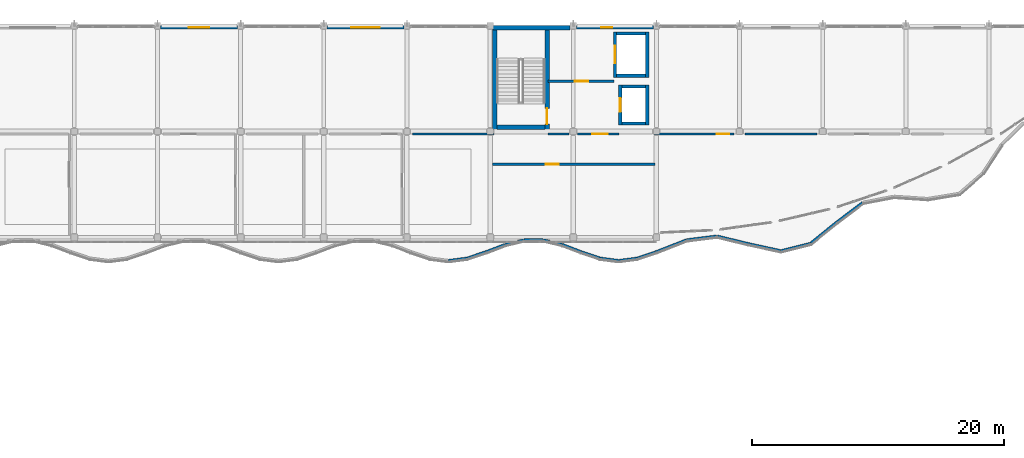
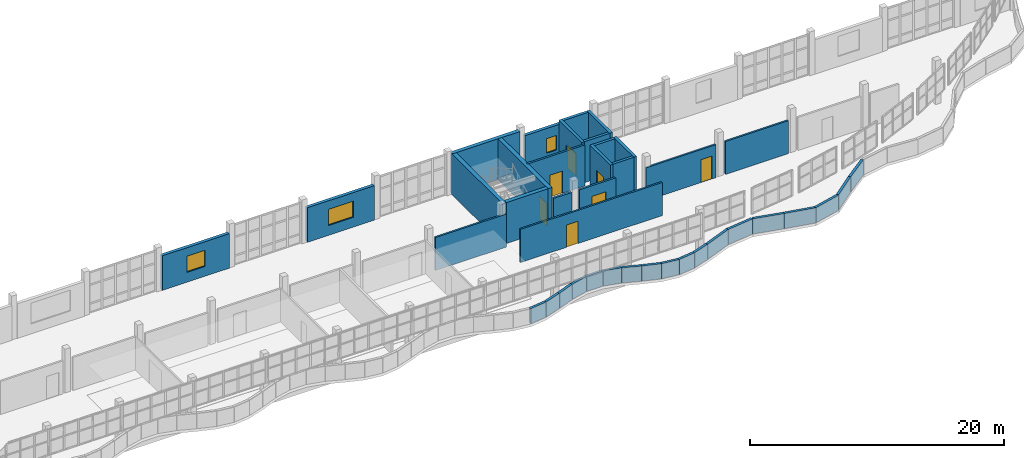
# One storey, part 59 of 78: 40 walls, 7 doors, 3 windows, 10 openings.
"""IFC4 building model written with IfcOpenShell, lengths in metres."""

from ifc_helpers import new_model, si_unit, direction, frame, frame_2d, origin, place, context, subcontext, project, spatial, rectangle, extrude, material, layer, layer_set, type_object, element, fill, save


model = new_model("IFC4")

# Units and contexts
model_context = context("Model", 3, precision=1e-05, world=origin(), true_north=direction((0.0, 1.0)))
body_context = subcontext(model_context, "Body", "Model", "MODEL_VIEW")
ifc_project = project(units=[si_unit("LENGTHUNIT", "METRE"), si_unit("AREAUNIT", "SQUARE_METRE"), si_unit("VOLUMEUNIT", "CUBIC_METRE"), si_unit("PLANEANGLEUNIT", "RADIAN"), si_unit("MASSUNIT", "GRAM", prefix="KILO")], contexts=[model_context])

# Site, building, storey
site_placement = place(None, origin())
site = spatial("IfcSite", under=ifc_project, at=site_placement, CompositionType="ELEMENT")
building_placement = place(site_placement, origin())
building = spatial("IfcBuilding", under=site, at=building_placement, Name="Qaldarim Faculty of Natural and Applied Sciences", CompositionType="ELEMENT")
storey_placement = place(building_placement, frame((0.0, 0.0, 18.60009765625)))
storey = spatial("IfcBuildingStorey", under=building, at=storey_placement, Name="L04", CompositionType="ELEMENT", Elevation=18.60009765625)

# Wall
ifc_material_1 = material(Name="Concrete C50/60", Category="concrete")
ifc_layer_1 = layer(ifc_material_1, 0.360107421875)
ifc_layer_set_1 = layer_set([ifc_layer_1], Name="Concrete C50/60")
wall_type_1 = type_object("IfcWallType", Name="CoreShearWall-360", PredefinedType="SHEAR", material=ifc_layer_set_1)
wall_1_placement = place(storey_placement, frame((99.3701171875, 109.340087890625, 0.0), z_axis=(0.0, 0.0, 1.0), x_axis=(0.0, 1.0, 0.0)))
element("IfcWall", 1, at=wall_1_placement, inside=storey, type_object=wall_type_1, Name="Core stair ST-B1 west shear wall L04", PredefinedType="SHEAR", context=body_context, shape_type="SweptSolid", body=[
    extrude(rectangle(XDim=8.08984375, YDim=0.360107421875, at=frame_2d((4.044921875, 0.0))), origin(), (0.0, 0.0, 1.0), 3.93994140625),
])

# Wall, opening, door
wall_2_placement = place(storey_placement, frame((103.530029296875, 109.340087890625, 0.0), z_axis=(0.0, 0.0, 1.0), x_axis=(0.0, 1.0, 0.0)))
wall_2 = element("IfcWall", 2, at=wall_2_placement, inside=storey, type_object=wall_type_1, Name="Core stair ST-B1 east shear wall L04", PredefinedType="SHEAR", context=body_context, shape_type="SweptSolid", body=[
    extrude(rectangle(XDim=8.08984375, YDim=0.360107421875, at=frame_2d((4.044921875, 0.0))), origin(), (0.0, 0.0, 1.0), 3.93994140625),
])
opening_1_placement = place(wall_2_placement, frame((0.449951171875, 0.0, 0.0)))
opening_1 = element("IfcOpeningElement", 3, at=opening_1_placement, cuts=wall_2, Name="Opening ID04", PredefinedType="OPENING", context=body_context, shape_type="SweptSolid", body=[
    extrude(rectangle(XDim=1.25, YDim=2.14990234375, at=frame_2d((0.625, 1.074951171875))), frame((0.0, 0.18994140625, 0.0), z_axis=(0.0, -1.0, 0.0), x_axis=(1.0, 0.0, 0.0)), (0.0, 0.0, 1.0), 0.380126953125),
])
ifc_material_2 = material(Name="Architectural stainless steel 316", Category="steel")
door_type_1 = type_object("IfcDoorType", Name="StairEnclosureFireDoor-1250x2150", OperationType="NOTDEFINED", PredefinedType="DOOR", material=ifc_material_2)
door_1_placement = place(opening_1_placement, origin())
door_1 = element("IfcDoor", 4, at=door_1_placement, inside=storey, type_object=door_type_1, Name="Protected stair ST-B1 fire door D-L04-531", OperationType="SINGLE_SWING_RIGHT", OverallHeight=2.14990234375, OverallWidth=1.25, PredefinedType="DOOR", context=body_context, shape_type="SweptSolid", body=[
    extrude(rectangle(XDim=1.25, YDim=2.14990234375, at=frame_2d((0.625, 1.074951171875))), frame((0.0, 0.02490234375, 0.0), z_axis=(0.0, -1.0, 0.0), x_axis=(1.0, 0.0, 0.0)), (0.0, 0.0, 1.0), 0.050048828125),
])
fill(opening_1, door_1)

# Wall
wall_3_placement = place(storey_placement, frame((99.550048828125, 109.52001953125, 0.0), z_axis=(0.0, 0.0, 1.0), x_axis=(1.0, 0.0, 0.0)))
element("IfcWall", 5, at=wall_3_placement, inside=storey, type_object=wall_type_1, Name="Core stair ST-B1 south shear wall L04", PredefinedType="SHEAR", context=body_context, shape_type="SweptSolid", body=[
    extrude(rectangle(XDim=3.800048828125, YDim=0.360107421875, at=frame_2d((1.89990234375, 0.0))), origin(), (0.0, 0.0, 1.0), 3.93994140625),
])

# Wall, opening, window
ifc_material_3 = material(Name="Precast concrete C40/50", Category="concrete")
ifc_layer_2 = layer(ifc_material_3, 0.280029296875)
ifc_layer_set_2 = layer_set([ifc_layer_2], Name="Precast concrete C40/50")
wall_type_2 = type_object("IfcWallType", Name="ExteriorSpandrelWall-280", PredefinedType="SOLIDWALL", material=ifc_layer_set_2)
wall_4_placement = place(storey_placement, frame((78.955078125, 117.4599609375, 0.0), z_axis=(0.0, 0.0, 1.0), x_axis=(-1.0, 0.0, 0.0)))
wall_4 = element("IfcWall", 6, at=wall_4_placement, inside=storey, type_object=wall_type_2, Name="Exterior wall EW02 L04 N X12Y14", PredefinedType="SOLIDWALL", context=body_context, shape_type="SweptSolid", body=[
    extrude(rectangle(XDim=6.110107421875, YDim=0.280029296875, at=frame_2d((3.05517578125, 0.0))), origin(), (0.0, 0.0, 1.0), 3.324951171875),
])
opening_2_placement = place(wall_4_placement, frame((2.22998046875, 0.0, 0.949951171875)))
opening_2 = element("IfcOpeningElement", 7, at=opening_2_placement, cuts=wall_4, Name="Opening WN10", PredefinedType="OPENING", context=body_context, shape_type="SweptSolid", body=[
    extrude(rectangle(XDim=1.64990234375, YDim=1.550048828125, at=frame_2d((0.824951171875, 0.77490234375))), frame((0.0, 0.14990234375, 0.0), z_axis=(0.0, -1.0, 0.0), x_axis=(1.0, 0.0, 0.0)), (0.0, 0.0, 1.0), 0.300048828125),
])
ifc_material_4 = material(Name="Insulated low-e double glazing", Category="glass")
window_type_1 = type_object("IfcWindowType", Name="LabWindow-1650x1550", PartitioningType="DOUBLE_PANEL_VERTICAL", PredefinedType="WINDOW", material=ifc_material_4)
window_1_placement = place(opening_2_placement, origin())
window_1 = element("IfcWindow", 8, at=window_1_placement, inside=storey, type_object=window_type_1, Name="Facade window WN10 L04 N X12Y14", OverallHeight=1.550048828125, OverallWidth=1.64990234375, PartitioningType="SINGLE_PANEL", PredefinedType="WINDOW", context=body_context, shape_type="SweptSolid", body=[
    extrude(rectangle(XDim=1.64990234375, YDim=1.550048828125, at=frame_2d((0.824951171875, 0.77490234375))), frame((0.0, 0.030029296875, 0.0), z_axis=(0.0, -1.0, 0.0), x_axis=(1.0, 0.0, 0.0)), (0.0, 0.0, 1.0), 0.06005859375),
])
fill(opening_2, window_1)

wall_5_placement = place(storey_placement, frame((92.155029296875, 117.4599609375, 0.0), z_axis=(0.0, 0.0, 1.0), x_axis=(-1.0, 0.0, 0.0)))
wall_5 = element("IfcWall", 9, at=wall_5_placement, inside=storey, type_object=wall_type_2, Name="Exterior wall EW02 L04 N X14Y14", PredefinedType="SOLIDWALL", context=body_context, shape_type="SweptSolid", body=[
    extrude(rectangle(XDim=6.110107421875, YDim=0.280029296875, at=frame_2d((3.05517578125, 0.0))), origin(), (0.0, 0.0, 1.0), 3.324951171875),
])
opening_3_placement = place(wall_5_placement, frame((1.929931640625, 0.0, 0.949951171875)))
opening_3 = element("IfcOpeningElement", 10, at=opening_3_placement, cuts=wall_5, Name="Opening WN12", PredefinedType="OPENING", context=body_context, shape_type="SweptSolid", body=[
    extrude(rectangle(XDim=2.25, YDim=1.550048828125, at=frame_2d((1.125, 0.77490234375))), frame((0.0, 0.14990234375, 0.0), z_axis=(0.0, -1.0, 0.0), x_axis=(1.0, 0.0, 0.0)), (0.0, 0.0, 1.0), 0.300048828125),
])
window_type_2 = type_object("IfcWindowType", Name="LabWindow-2250x1550", PartitioningType="TRIPLE_PANEL_VERTICAL", PredefinedType="WINDOW", material=ifc_material_4)
window_2_placement = place(opening_3_placement, origin())
window_2 = element("IfcWindow", 11, at=window_2_placement, inside=storey, type_object=window_type_2, Name="Facade window WN12 L04 N X14Y14", OverallHeight=1.550048828125, OverallWidth=2.25, PartitioningType="SINGLE_PANEL", PredefinedType="WINDOW", context=body_context, shape_type="SweptSolid", body=[
    extrude(rectangle(XDim=2.25, YDim=1.550048828125, at=frame_2d((1.125, 0.77490234375))), frame((0.0, 0.030029296875, 0.0), z_axis=(0.0, -1.0, 0.0), x_axis=(1.0, 0.0, 0.0)), (0.0, 0.0, 1.0), 0.06005859375),
])
fill(opening_3, window_2)

wall_6_placement = place(storey_placement, frame((111.955078125, 117.4599609375, 0.0), z_axis=(0.0, 0.0, 1.0), x_axis=(-1.0, 0.0, 0.0)))
wall_6 = element("IfcWall", 12, at=wall_6_placement, inside=storey, type_object=wall_type_2, Name="Exterior wall EW02 L04 N X17Y14", PredefinedType="SOLIDWALL", context=body_context, shape_type="SweptSolid", body=[
    extrude(rectangle(XDim=6.110107421875, YDim=0.280029296875, at=frame_2d((3.05517578125, 0.0))), origin(), (0.0, 0.0, 1.0), 3.324951171875),
])
opening_4_placement = place(wall_6_placement, frame((3.25, 0.0, 0.949951171875)))
opening_4 = element("IfcOpeningElement", 13, at=opening_4_placement, cuts=wall_6, Name="Opening WN05", PredefinedType="OPENING", context=body_context, shape_type="SweptSolid", body=[
    extrude(rectangle(XDim=0.89990234375, YDim=1.39990234375, at=frame_2d((0.449951171875, 0.699951171875))), frame((0.0, 0.14990234375, 0.0), z_axis=(0.0, -1.0, 0.0), x_axis=(1.0, 0.0, 0.0)), (0.0, 0.0, 1.0), 0.300048828125),
])
window_type_3 = type_object("IfcWindowType", Name="Window-900x1400", PartitioningType="SINGLE_PANEL", PredefinedType="WINDOW", material=ifc_material_4)
window_3_placement = place(opening_4_placement, origin())
window_3 = element("IfcWindow", 14, at=window_3_placement, inside=storey, type_object=window_type_3, Name="Facade window WN15 L04 N X17Y14", OverallHeight=1.39990234375, OverallWidth=0.89990234375, PartitioningType="SINGLE_PANEL", PredefinedType="WINDOW", context=body_context, shape_type="SweptSolid", body=[
    extrude(rectangle(XDim=0.89990234375, YDim=1.39990234375, at=frame_2d((0.449951171875, 0.699951171875))), frame((0.0, 0.030029296875, 0.0), z_axis=(0.0, -1.0, 0.0), x_axis=(1.0, 0.0, 0.0)), (0.0, 0.0, 1.0), 0.06005859375),
])
fill(opening_4, window_3)

# Walls
ifc_layer_3 = layer(ifc_material_1, 0.340087890625)
ifc_layer_set_3 = layer_set([ifc_layer_3], Name="Concrete C50/60")
wall_type_3 = type_object("IfcWallType", Name="ExteriorStairShearWall-340", PredefinedType="SHEAR", material=ifc_layer_set_3)
wall_7_placement = place(storey_placement, frame((105.35498046875, 117.429931640625, 0.0), z_axis=(0.0, 0.0, 1.0), x_axis=(-1.0, 0.0, 0.0)))
element("IfcWall", 15, at=wall_7_placement, inside=storey, type_object=wall_type_3, Name="Exterior wall EW05 L04 N X16Y14", PredefinedType="SHEAR", context=body_context, shape_type="SweptSolid", body=[
    extrude(rectangle(XDim=6.10986328125, YDim=0.340087890625, at=frame_2d((3.054931640625, 0.0))), origin(), (0.0, 0.0, 1.0), 3.93994140625),
])
ifc_material_5 = material(Name="Concrete C40/50", Category="concrete")
ifc_layer_4 = layer(ifc_material_5, 0.159912109375)
ifc_layer_set_4 = layer_set([ifc_layer_4], Name="Concrete C40/50")
wall_type_4 = type_object("IfcWallType", Name="FireCorridorWall-160", PredefinedType="PARTITIONING", material=ifc_layer_set_4)
wall_8_placement = place(storey_placement, frame((92.85009765625, 109.0, 0.0), z_axis=(0.0, 0.0, 1.0), x_axis=(1.0, 0.0, 0.0)))
element("IfcWall", 16, at=wall_8_placement, inside=storey, type_object=wall_type_4, Name="Interior partition PRT-L04-V4-CORSW-S8", PredefinedType="PARTITIONING", context=body_context, shape_type="SweptSolid", body=[
    extrude(rectangle(XDim=6.449951171875, YDim=0.159912109375, at=frame_2d((3.22509765625, 0.0))), origin(), (0.0, 0.0, 1.0), 3.1748046875),
])

# Wall, opening, door
wall_9_placement = place(storey_placement, frame((112.0, 109.0, 0.0), z_axis=(0.0, 0.0, 1.0), x_axis=(1.0, 0.0, 0.0)))
wall_9 = element("IfcWall", 17, at=wall_9_placement, inside=storey, type_object=wall_type_4, Name="Interior partition PRT-L04-V4-CORSE-S1", PredefinedType="PARTITIONING", context=body_context, shape_type="SweptSolid", body=[
    extrude(rectangle(XDim=6.35009765625, YDim=0.159912109375, at=frame_2d((3.175048828125, 0.0))), origin(), (0.0, 0.0, 1.0), 3.1748046875),
])
opening_5_placement = place(wall_9_placement, frame((5.0, 0.0, 0.0)))
opening_5 = element("IfcOpeningElement", 18, at=opening_5_placement, cuts=wall_9, Name="Opening ID08", PredefinedType="OPENING", context=body_context, shape_type="SweptSolid", body=[
    extrude(rectangle(XDim=1.0, YDim=2.199951171875, at=frame_2d((0.5, 1.10009765625))), frame((0.0, 0.08984375, 0.0), z_axis=(0.0, -1.0, 0.0), x_axis=(1.0, 0.0, 0.0)), (0.0, 0.0, 1.0), 0.179931640625),
])
ifc_material_6 = material(Name="Oak hardwood", Category="wood")
door_type_2 = type_object("IfcDoorType", Name="SeminarRoomDoor-1000x2200", OperationType="NOTDEFINED", PredefinedType="DOOR", material=ifc_material_6)
door_2_placement = place(opening_5_placement, origin())
door_2 = element("IfcDoor", 19, at=door_2_placement, inside=storey, type_object=door_type_2, Name="Interior door D-L04-246", OperationType="SINGLE_SWING_LEFT", OverallHeight=2.199951171875, OverallWidth=1.0, PredefinedType="DOOR", context=body_context, shape_type="SweptSolid", body=[
    extrude(rectangle(XDim=1.0, YDim=2.199951171875, at=frame_2d((0.5, 1.10009765625))), frame((0.0, 0.02490234375, 0.0), z_axis=(0.0, -1.0, 0.0), x_axis=(1.0, 0.0, 0.0)), (0.0, 0.0, 1.0), 0.050048828125),
])
fill(opening_5, door_2)

# Wall
wall_10_placement = place(storey_placement, frame((119.25, 109.0, 0.0), z_axis=(0.0, 0.0, 1.0), x_axis=(1.0, 0.0, 0.0)))
element("IfcWall", 20, at=wall_10_placement, inside=storey, type_object=wall_type_4, Name="Interior partition PRT-L04-V4-CORSE-S2", PredefinedType="PARTITIONING", context=body_context, shape_type="SweptSolid", body=[
    extrude(rectangle(XDim=5.699951171875, YDim=0.159912109375, at=frame_2d((2.85009765625, 0.0))), origin(), (0.0, 0.0, 1.0), 3.1748046875),
])

# Wall, opening, door
wall_11_placement = place(storey_placement, frame((99.199951171875, 106.60009765625, 0.0), z_axis=(0.0, 0.0, 1.0), x_axis=(1.0, 0.0, 0.0)))
wall_11 = element("IfcWall", 21, at=wall_11_placement, inside=storey, type_object=wall_type_4, Name="Interior partition PRT-L04-V4-PRPN", PredefinedType="PARTITIONING", context=body_context, shape_type="SweptSolid", body=[
    extrude(rectangle(XDim=12.900146484375, YDim=0.159912109375, at=frame_2d((6.4501953125, 0.0))), origin(), (0.0, 0.0, 1.0), 3.18994140625),
])
opening_6_placement = place(wall_11_placement, frame((4.199951171875, 0.0, 0.0)))
opening_6 = element("IfcOpeningElement", 22, at=opening_6_placement, cuts=wall_11, Name="Opening ID02", PredefinedType="OPENING", context=body_context, shape_type="SweptSolid", body=[
    extrude(rectangle(XDim=1.050048828125, YDim=2.14990234375, at=frame_2d((0.52490234375, 1.074951171875))), frame((0.0, 0.08984375, 0.0), z_axis=(0.0, -1.0, 0.0), x_axis=(1.0, 0.0, 0.0)), (0.0, 0.0, 1.0), 0.179931640625),
])
door_type_3 = type_object("IfcDoorType", Name="AccessibleRoomDoor-1050x2150", OperationType="NOTDEFINED", PredefinedType="DOOR", material=ifc_material_6)
door_3_placement = place(opening_6_placement, origin())
door_3 = element("IfcDoor", 23, at=door_3_placement, inside=storey, type_object=door_type_3, Name="Interior door D-L04-398", OperationType="SINGLE_SWING_LEFT", OverallHeight=2.14990234375, OverallWidth=1.050048828125, PredefinedType="DOOR", context=body_context, shape_type="SweptSolid", body=[
    extrude(rectangle(XDim=1.050048828125, YDim=2.14990234375, at=frame_2d((0.52490234375, 1.074951171875))), frame((0.0, 0.02490234375, 0.0), z_axis=(0.0, -1.0, 0.0), x_axis=(1.0, 0.0, 0.0)), (0.0, 0.0, 1.0), 0.050048828125),
])
fill(opening_6, door_3)

# Wall
ifc_layer_5 = layer(ifc_material_5, 0.179931640625)
ifc_layer_set_5 = layer_set([ifc_layer_5], Name="Concrete C40/50")
wall_type_5 = type_object("IfcWallType", Name="LabFireCompartmentWall-180", PredefinedType="SOLIDWALL", material=ifc_layer_set_5)
wall_12_placement = place(storey_placement, frame((103.60009765625, 109.010009765625, 0.0), z_axis=(0.0, 0.0, 1.0), x_axis=(1.0, 0.0, 0.0)))
element("IfcWall", 24, at=wall_12_placement, inside=storey, type_object=wall_type_5, Name="Fire-fighting lobby south-west compartment wall Core B L04", PredefinedType="SOLIDWALL", context=body_context, shape_type="SweptSolid", body=[
    extrude(rectangle(XDim=1.64990234375, YDim=0.179931640625, at=frame_2d((0.824951171875, 0.0))), origin(), (0.0, 0.0, 1.0), 3.1748046875),
])

# Wall, opening, door
wall_13_placement = place(storey_placement, frame((105.949951171875, 109.010009765625, 0.0), z_axis=(0.0, 0.0, 1.0), x_axis=(1.0, 0.0, 0.0)))
wall_13 = element("IfcWall", 25, at=wall_13_placement, inside=storey, type_object=wall_type_5, Name="Fire-fighting lobby south compartment wall Core B L04", PredefinedType="SOLIDWALL", context=body_context, shape_type="SweptSolid", body=[
    extrude(rectangle(XDim=3.300048828125, YDim=0.179931640625, at=frame_2d((1.64990234375, 0.0))), origin(), (0.0, 0.0, 1.0), 3.1748046875),
])
opening_7_placement = place(wall_13_placement, frame((1.14990234375, 0.0, 0.0)))
opening_7 = element("IfcOpeningElement", 26, at=opening_7_placement, cuts=wall_13, Name="Opening ID04", PredefinedType="OPENING", context=body_context, shape_type="SweptSolid", body=[
    extrude(rectangle(XDim=1.25, YDim=2.14990234375, at=frame_2d((0.625, 1.074951171875))), frame((0.0, 0.099853515625, 0.0), z_axis=(0.0, -1.0, 0.0), x_axis=(1.0, 0.0, 0.0)), (0.0, 0.0, 1.0), 0.199951171875),
])
door_4_placement = place(opening_7_placement, origin())
door_4 = element("IfcDoor", 27, at=door_4_placement, inside=storey, type_object=door_type_1, Name="Fire-fighting lobby door Core B D-L04-646", OperationType="SINGLE_SWING_LEFT", OverallHeight=2.14990234375, OverallWidth=1.25, PredefinedType="DOOR", context=body_context, shape_type="SweptSolid", body=[
    extrude(rectangle(XDim=1.25, YDim=2.14990234375, at=frame_2d((0.625, 1.074951171875))), frame((0.0, 0.02490234375, 0.0), z_axis=(0.0, -1.0, 0.0), x_axis=(1.0, 0.0, 0.0)), (0.0, 0.0, 1.0), 0.050048828125),
])
fill(opening_7, door_4)

wall_14_placement = place(storey_placement, frame((103.60009765625, 113.18994140625, 0.0), z_axis=(0.0, 0.0, 1.0), x_axis=(1.0, 0.0, 0.0)))
wall_14 = element("IfcWall", 28, at=wall_14_placement, inside=storey, type_object=wall_type_5, Name="Fire-fighting lobby north wall Core B L04", PredefinedType="SOLIDWALL", context=body_context, shape_type="SweptSolid", body=[
    extrude(rectangle(XDim=5.25, YDim=0.179931640625, at=frame_2d((2.625, 0.0))), origin(), (0.0, 0.0, 1.0), 3.93994140625),
])
opening_8_placement = place(wall_14_placement, frame((2.10009765625, 0.0, 0.0)))
opening_8 = element("IfcOpeningElement", 29, at=opening_8_placement, cuts=wall_14, Name="Opening ID03", PredefinedType="OPENING", context=body_context, shape_type="SweptSolid", body=[
    extrude(rectangle(XDim=1.10009765625, YDim=2.14990234375, at=frame_2d((0.550048828125, 1.074951171875))), frame((0.0, 0.099853515625, 0.0), z_axis=(0.0, -1.0, 0.0), x_axis=(1.0, 0.0, 0.0)), (0.0, 0.0, 1.0), 0.199951171875),
])
door_type_4 = type_object("IfcDoorType", Name="FireLobbyDoor-1100x2150", OperationType="NOTDEFINED", PredefinedType="DOOR", material=ifc_material_6)
door_5_placement = place(opening_8_placement, frame((1.10009765625, 0.0, 0.0), z_axis=(0.0, 0.0, 1.0), x_axis=(-1.0, 0.0, 0.0)))
door_5 = element("IfcDoor", 30, at=door_5_placement, inside=storey, type_object=door_type_4, Name="Passenger lift lobby door Core B D-L04-647", OperationType="SINGLE_SWING_RIGHT", OverallHeight=2.14990234375, OverallWidth=1.10009765625, PredefinedType="DOOR", context=body_context, shape_type="SweptSolid", body=[
    extrude(rectangle(XDim=1.10009765625, YDim=2.14990234375, at=frame_2d((0.550048828125, 1.074951171875))), frame((0.0, 0.02490234375, 0.0), z_axis=(0.0, -1.0, 0.0), x_axis=(1.0, 0.0, 0.0)), (0.0, 0.0, 1.0), 0.050048828125),
])
fill(opening_8, door_5)

ifc_layer_6 = layer(ifc_material_5, 0.25)
ifc_layer_set_6 = layer_set([ifc_layer_6], Name="Concrete C40/50")
wall_type_6 = type_object("IfcWallType", Name="LiftShaftWall-250", PredefinedType="SHEAR", material=ifc_layer_set_6)
wall_15_placement = place(storey_placement, frame((109.324951171875, 109.699951171875, 0.0), z_axis=(0.0, 0.0, 1.0), x_axis=(0.0, 1.0, 0.0)))
wall_15 = element("IfcWall", 31, at=wall_15_placement, inside=storey, type_object=wall_type_6, Name="Lift LF-B1 front shaft wall L04", PredefinedType="SHEAR", context=body_context, shape_type="SweptSolid", body=[
    extrude(rectangle(XDim=3.199951171875, YDim=0.25, at=frame_2d((1.60009765625, 0.0))), origin(), (0.0, 0.0, 1.0), 3.93994140625),
])
opening_9_placement = place(wall_15_placement, frame((1.050048828125, 0.0, 0.0)))
opening_9 = element("IfcOpeningElement", 32, at=opening_9_placement, cuts=wall_15, Name="Opening LD01", PredefinedType="OPENING", context=body_context, shape_type="SweptSolid", body=[
    extrude(rectangle(XDim=1.10009765625, YDim=2.14990234375, at=frame_2d((0.550048828125, 1.074951171875))), frame((0.0, 0.135009765625, 0.0), z_axis=(0.0, -1.0, 0.0), x_axis=(1.0, 0.0, 0.0)), (0.0, 0.0, 1.0), 0.27001953125),
])
door_type_5 = type_object("IfcDoorType", Name="LiftLandingSlidingDoor-1100x2150", OperationType="NOTDEFINED", PredefinedType="DOOR", material=ifc_material_2)
door_6_placement = place(opening_9_placement, origin())
door_6 = element("IfcDoor", 33, at=door_6_placement, inside=storey, type_object=door_type_5, Name="Lift landing sliding door LF-B1 D-L04-627", OperationType="SLIDING_TO_LEFT", OverallHeight=2.14990234375, OverallWidth=1.10009765625, PredefinedType="DOOR", context=body_context, shape_type="SweptSolid", body=[
    extrude(rectangle(XDim=1.10009765625, YDim=2.14990234375, at=frame_2d((0.550048828125, 1.074951171875))), frame((0.0, 0.02490234375, 0.0), z_axis=(0.0, -1.0, 0.0), x_axis=(1.0, 0.0, 0.0)), (0.0, 0.0, 1.0), 0.050048828125),
])
fill(opening_9, door_6)

# Walls
wall_16_placement = place(storey_placement, frame((111.47509765625, 109.699951171875, 0.0), z_axis=(0.0, 0.0, 1.0), x_axis=(0.0, 1.0, 0.0)))
element("IfcWall", 34, at=wall_16_placement, inside=storey, type_object=wall_type_6, Name="Lift LF-B1 rear shaft wall L04", PredefinedType="SHEAR", context=body_context, shape_type="SweptSolid", body=[
    extrude(rectangle(XDim=3.199951171875, YDim=0.25, at=frame_2d((1.60009765625, 0.0))), origin(), (0.0, 0.0, 1.0), 3.93994140625),
])
for number, where, z_axis, x_axis, name in (
    (35, (109.449951171875, 109.824951171875, 0.0), (0.0, 0.0, 1.0), (1.0, 0.0, 0.0), "Lift LF-B1 south shaft wall L04"),
    (36, (109.449951171875, 112.77490234375, 0.0), (0.0, 0.0, 1.0), (1.0, 0.0, 0.0), "Lift LF-B1 north shaft wall L04"),
):
    element("IfcWall", number, at=place(storey_placement, frame(where, z_axis=z_axis, x_axis=x_axis)), inside=storey, type_object=wall_type_6, Name=name, PredefinedType="SHEAR", context=body_context, shape_type="SweptSolid", body=[
        extrude(rectangle(XDim=1.900146484375, YDim=0.25, at=frame_2d((0.9501953125, 0.0))), origin(), (0.0, 0.0, 1.0), 3.93994140625),
    ])

# Wall, opening, door
wall_17_placement = place(storey_placement, frame((108.925048828125, 113.5, 0.0), z_axis=(0.0, 0.0, 1.0), x_axis=(0.0, 1.0, 0.0)))
wall_17 = element("IfcWall", 37, at=wall_17_placement, inside=storey, type_object=wall_type_6, Name="Lift LF-B2 front shaft wall L04", PredefinedType="SHEAR", context=body_context, shape_type="SweptSolid", body=[
    extrude(rectangle(XDim=3.60009765625, YDim=0.25, at=frame_2d((1.800048828125, 0.0))), origin(), (0.0, 0.0, 1.0), 3.93994140625),
])
opening_10_placement = place(wall_17_placement, frame((1.10009765625, 0.0, 0.0)))
opening_10 = element("IfcOpeningElement", 38, at=opening_10_placement, cuts=wall_17, Name="Opening LD02", PredefinedType="OPENING", context=body_context, shape_type="SweptSolid", body=[
    extrude(rectangle(XDim=1.39990234375, YDim=2.199951171875, at=frame_2d((0.699951171875, 1.10009765625))), frame((0.0, 0.135009765625, 0.0), z_axis=(0.0, -1.0, 0.0), x_axis=(1.0, 0.0, 0.0)), (0.0, 0.0, 1.0), 0.27001953125),
])
door_type_6 = type_object("IfcDoorType", Name="GoodsLiftSlidingDoor-1400x2200", OperationType="NOTDEFINED", PredefinedType="DOOR", material=ifc_material_2)
door_7_placement = place(opening_10_placement, origin())
door_7 = element("IfcDoor", 39, at=door_7_placement, inside=storey, type_object=door_type_6, Name="Lift landing sliding door LF-B2 D-L04-634", OperationType="SLIDING_TO_LEFT", OverallHeight=2.199951171875, OverallWidth=1.39990234375, PredefinedType="DOOR", context=body_context, shape_type="SweptSolid", body=[
    extrude(rectangle(XDim=1.39990234375, YDim=2.199951171875, at=frame_2d((0.699951171875, 1.10009765625))), frame((0.0, 0.02490234375, 0.0), z_axis=(0.0, -1.0, 0.0), x_axis=(1.0, 0.0, 0.0)), (0.0, 0.0, 1.0), 0.050048828125),
])
fill(opening_10, door_7)

# Walls
wall_18_placement = place(storey_placement, frame((111.47509765625, 113.5, 0.0), z_axis=(0.0, 0.0, 1.0), x_axis=(0.0, 1.0, 0.0)))
element("IfcWall", 40, at=wall_18_placement, inside=storey, type_object=wall_type_6, Name="Lift LF-B2 rear shaft wall L04", PredefinedType="SHEAR", context=body_context, shape_type="SweptSolid", body=[
    extrude(rectangle(XDim=3.60009765625, YDim=0.25, at=frame_2d((1.800048828125, 0.0))), origin(), (0.0, 0.0, 1.0), 3.93994140625),
])
for number, where, z_axis, x_axis, name in (
    (41, (109.050048828125, 113.625, 0.0), (0.0, 0.0, 1.0), (1.0, 0.0, 0.0), "Lift LF-B2 south shaft wall L04"),
    (42, (109.050048828125, 116.97509765625, 0.0), (0.0, 0.0, 1.0), (1.0, 0.0, 0.0), "Lift LF-B2 north shaft wall L04"),
):
    element("IfcWall", number, at=place(storey_placement, frame(where, z_axis=z_axis, x_axis=x_axis)), inside=storey, type_object=wall_type_6, Name=name, PredefinedType="SHEAR", context=body_context, shape_type="SweptSolid", body=[
        extrude(rectangle(XDim=2.300048828125, YDim=0.25, at=frame_2d((1.14990234375, 0.0))), origin(), (0.0, 0.0, 1.0), 3.93994140625),
    ])
ifc_material_7 = material(Name="White architectural precast concrete C40/50", Category="concrete")
ifc_layer_7 = layer(ifc_material_7, 0.219970703125)
ifc_layer_set_7 = layer_set([ifc_layer_7], Name="White architectural precast concrete C40/50")
wall_type_7 = type_object("IfcWallType", Name="WhitePrecastWaveBand-220", PredefinedType="SOLIDWALL", material=ifc_layer_set_7)
wall_19_placement = place(storey_placement, frame((95.679931640625, 98.93994140625, 0.0), z_axis=(0.0, 0.0, 1.0), x_axis=(0.991649838976, 0.128959671442, 0.0)))
element("IfcWall", 43, at=wall_19_placement, inside=storey, type_object=wall_type_7, Name="White precast wave spandrel band L04 chord 34", PredefinedType="SOLIDWALL", context=body_context, shape_type="SweptSolid", body=[
    extrude(rectangle(XDim=1.5126953125, YDim=0.219970703125, at=frame_2d((0.75634765625, 0.0))), origin(), (0.0, 0.0, 1.0), 1.449951171875),
])
wall_20_placement = place(storey_placement, frame((97.155029296875, 99.1298828125, 0.0), z_axis=(0.0, 0.0, 1.0), x_axis=(0.947707048734, 0.319141582655, 0.0)))
element("IfcWall", 44, at=wall_20_placement, inside=storey, type_object=wall_type_7, Name="White precast wave spandrel band L04 chord 35", PredefinedType="SOLIDWALL", context=body_context, shape_type="SweptSolid", body=[
    extrude(rectangle(XDim=1.582763671875, YDim=0.219970703125, at=frame_2d((0.79150390625, 0.0))), origin(), (0.0, 0.0, 1.0), 1.449951171875),
])
wall_21_placement = place(storey_placement, frame((98.64990234375, 99.6298828125, 0.0), z_axis=(0.0, 0.0, 1.0), x_axis=(0.934769434387, 0.355254985237, 0.0)))
element("IfcWall", 45, at=wall_21_placement, inside=storey, type_object=wall_type_7, Name="White precast wave spandrel band L04 chord 36", PredefinedType="SOLIDWALL", context=body_context, shape_type="SweptSolid", body=[
    extrude(rectangle(XDim=1.604736328125, YDim=0.219970703125, at=frame_2d((0.80224609375, 0.0))), origin(), (0.0, 0.0, 1.0), 1.449951171875),
])
wall_22_placement = place(storey_placement, frame((100.1650390625, 100.205078125, 0.0), z_axis=(0.0, 0.0, 1.0), x_axis=(0.970142500145, 0.242535625036, 0.0)))
element("IfcWall", 46, at=wall_22_placement, inside=storey, type_object=wall_type_7, Name="White precast wave spandrel band L04 chord 37", PredefinedType="SOLIDWALL", context=body_context, shape_type="SweptSolid", body=[
    extrude(rectangle(XDim=1.546142578125, YDim=0.219970703125, at=frame_2d((0.77294921875, 0.0))), origin(), (0.0, 0.0, 1.0), 1.449951171875),
])
wall_23_placement = place(storey_placement, frame((101.699951171875, 100.5849609375, 0.0), z_axis=(0.0, 0.0, 1.0), x_axis=(0.999994158796, 0.003417948785, 0.0)))
element("IfcWall", 47, at=wall_23_placement, inside=storey, type_object=wall_type_7, Name="White precast wave spandrel band L04 chord 38", PredefinedType="SOLIDWALL", context=body_context, shape_type="SweptSolid", body=[
    extrude(rectangle(XDim=1.5, YDim=0.219970703125, at=frame_2d((0.75, 0.0))), origin(), (0.0, 0.0, 1.0), 1.449951171875),
])
wall_24_placement = place(storey_placement, frame((103.235107421875, 100.5849609375, 0.0), z_axis=(0.0, 0.0, 1.0), x_axis=(0.970918311966, -0.239411009542, 0.0)))
element("IfcWall", 48, at=wall_24_placement, inside=storey, type_object=wall_type_7, Name="White precast wave spandrel band L04 chord 39", PredefinedType="SOLIDWALL", context=body_context, shape_type="SweptSolid", body=[
    extrude(rectangle(XDim=1.544921875, YDim=0.219970703125, at=frame_2d((0.7724609375, 0.0))), origin(), (0.0, 0.0, 1.0), 1.449951171875),
])
wall_25_placement = place(storey_placement, frame((104.75, 100.2099609375, 0.0), z_axis=(0.0, 0.0, 1.0), x_axis=(0.933756275822, -0.35790951002, 0.0)))
element("IfcWall", 49, at=wall_25_placement, inside=storey, type_object=wall_type_7, Name="White precast wave spandrel band L04 chord 40", PredefinedType="SOLIDWALL", context=body_context, shape_type="SweptSolid", body=[
    extrude(rectangle(XDim=1.6064453125, YDim=0.219970703125, at=frame_2d((0.80322265625, 0.0))), origin(), (0.0, 0.0, 1.0), 1.449951171875),
])
wall_26_placement = place(storey_placement, frame((106.2451171875, 99.639892578125, 0.0), z_axis=(0.0, 0.0, 1.0), x_axis=(0.947753693993, -0.31900303372, 0.0)))
element("IfcWall", 50, at=wall_26_placement, inside=storey, type_object=wall_type_7, Name="White precast wave spandrel band L04 chord 41", PredefinedType="SOLIDWALL", context=body_context, shape_type="SweptSolid", body=[
    extrude(rectangle(XDim=1.582763671875, YDim=0.219970703125, at=frame_2d((0.79150390625, 0.0))), origin(), (0.0, 0.0, 1.0), 1.449951171875),
])
wall_27_placement = place(storey_placement, frame((107.719970703125, 99.139892578125, 0.0), z_axis=(0.0, 0.0, 1.0), x_axis=(0.99123212725, -0.132132016963, 0.0)))
element("IfcWall", 51, at=wall_27_placement, inside=storey, type_object=wall_type_7, Name="White precast wave spandrel band L04 chord 42", PredefinedType="SOLIDWALL", context=body_context, shape_type="SweptSolid", body=[
    extrude(rectangle(XDim=1.51318359375, YDim=0.219970703125, at=frame_2d((0.756591796875, 0.0))), origin(), (0.0, 0.0, 1.0), 1.449951171875),
])
wall_28_placement = place(storey_placement, frame((109.179931640625, 98.93994140625, 0.0), z_axis=(0.0, 0.0, 1.0), x_axis=(0.991649838976, 0.128959671442, 0.0)))
element("IfcWall", 52, at=wall_28_placement, inside=storey, type_object=wall_type_7, Name="White precast wave spandrel band L04 chord 43", PredefinedType="SOLIDWALL", context=body_context, shape_type="SweptSolid", body=[
    extrude(rectangle(XDim=1.5126953125, YDim=0.219970703125, at=frame_2d((0.75634765625, 0.0))), origin(), (0.0, 0.0, 1.0), 1.449951171875),
])
wall_29_placement = place(storey_placement, frame((110.655029296875, 99.1298828125, 0.0), z_axis=(0.0, 0.0, 1.0), x_axis=(0.947707048734, 0.319141582655, 0.0)))
element("IfcWall", 53, at=wall_29_placement, inside=storey, type_object=wall_type_7, Name="White precast wave spandrel band L04 chord 44", PredefinedType="SOLIDWALL", context=body_context, shape_type="SweptSolid", body=[
    extrude(rectangle(XDim=1.582763671875, YDim=0.219970703125, at=frame_2d((0.79150390625, 0.0))), origin(), (0.0, 0.0, 1.0), 1.449951171875),
])
wall_30_placement = place(storey_placement, frame((112.14990234375, 99.6298828125, 0.0), z_axis=(0.0, 0.0, 1.0), x_axis=(0.930985139388, 0.365057078056, 0.0)))
element("IfcWall", 54, at=wall_30_placement, inside=storey, type_object=wall_type_7, Name="White precast wave spandrel band L04 chord 45", PredefinedType="SOLIDWALL", context=body_context, shape_type="SweptSolid", body=[
    extrude(rectangle(XDim=2.5888671875, YDim=0.219970703125, at=frame_2d((1.29443359375, 0.0))), origin(), (0.0, 0.0, 1.0), 1.449951171875),
])
wall_31_placement = place(storey_placement, frame((114.594970703125, 100.5849609375, 0.0), z_axis=(0.0, 0.0, 1.0), x_axis=(0.992212250999, 0.124558616596, 0.0)))
element("IfcWall", 55, at=wall_31_placement, inside=storey, type_object=wall_type_7, Name="White precast wave spandrel band L04 chord 46", PredefinedType="SOLIDWALL", context=body_context, shape_type="SweptSolid", body=[
    extrude(rectangle(XDim=2.408935546875, YDim=0.219970703125, at=frame_2d((1.20458984375, 0.0))), origin(), (0.0, 0.0, 1.0), 1.449951171875),
])
wall_32_placement = place(storey_placement, frame((117.034912109375, 100.8798828125, 0.0), z_axis=(0.0, 0.0, 1.0), x_axis=(0.972056124362, -0.234748569942, 0.0)))
element("IfcWall", 56, at=wall_32_placement, inside=storey, type_object=wall_type_7, Name="White precast wave spandrel band L04 chord 47", PredefinedType="SOLIDWALL", context=body_context, shape_type="SweptSolid", body=[
    extrude(rectangle(XDim=2.5771484375, YDim=0.219970703125, at=frame_2d((1.28857421875, 0.0))), origin(), (0.0, 0.0, 1.0), 1.449951171875),
])
wall_33_placement = place(storey_placement, frame((119.534912109375, 100.27490234375, 0.0), z_axis=(0.0, 0.0, 1.0), x_axis=(0.977029011345, -0.213106337285, 0.0)))
element("IfcWall", 57, at=wall_33_placement, inside=storey, type_object=wall_type_7, Name="White precast wave spandrel band L04 chord 48", PredefinedType="SOLIDWALL", context=body_context, shape_type="SweptSolid", body=[
    extrude(rectangle(XDim=2.65087890625, YDim=0.219970703125, at=frame_2d((1.325439453125, 0.0))), origin(), (0.0, 0.0, 1.0), 1.449951171875),
])
wall_34_placement = place(storey_placement, frame((122.06005859375, 99.7099609375, 0.0), z_axis=(0.0, 0.0, 1.0), x_axis=(0.969416078768, 0.245423035239, 0.0)))
element("IfcWall", 58, at=wall_34_placement, inside=storey, type_object=wall_type_7, Name="White precast wave spandrel band L04 chord 49", PredefinedType="SOLIDWALL", context=body_context, shape_type="SweptSolid", body=[
    extrude(rectangle(XDim=2.48583984375, YDim=0.219970703125, at=frame_2d((1.242919921875, 0.0))), origin(), (0.0, 0.0, 1.0), 1.449951171875),
])
wall_35_placement = place(storey_placement, frame((124.4150390625, 100.294921875, 0.0), z_axis=(0.0, 0.0, 1.0), x_axis=(0.776304461047, 0.630358139281, 0.0)))
element("IfcWall", 59, at=wall_35_placement, inside=storey, type_object=wall_type_7, Name="White precast wave spandrel band L04 chord 50", PredefinedType="SOLIDWALL", context=body_context, shape_type="SweptSolid", body=[
    extrude(rectangle(XDim=2.704833984375, YDim=0.219970703125, at=frame_2d((1.3525390625, 0.0))), origin(), (0.0, 0.0, 1.0), 1.449951171875),
])
wall_36_placement = place(storey_placement, frame((126.52001953125, 102.0, 0.0), z_axis=(0.0, 0.0, 1.0), x_axis=(0.797891759474, 0.602800746651, 0.0)))
element("IfcWall", 60, at=wall_36_placement, inside=storey, type_object=wall_type_7, Name="White precast wave spandrel band L04 chord 51", PredefinedType="SOLIDWALL", context=body_context, shape_type="SweptSolid", body=[
    extrude(rectangle(XDim=2.56298828125, YDim=0.219970703125, at=frame_2d((1.281494140625, 0.0))), origin(), (0.0, 0.0, 1.0), 1.449951171875),
])

save(model, "model.ifc")
